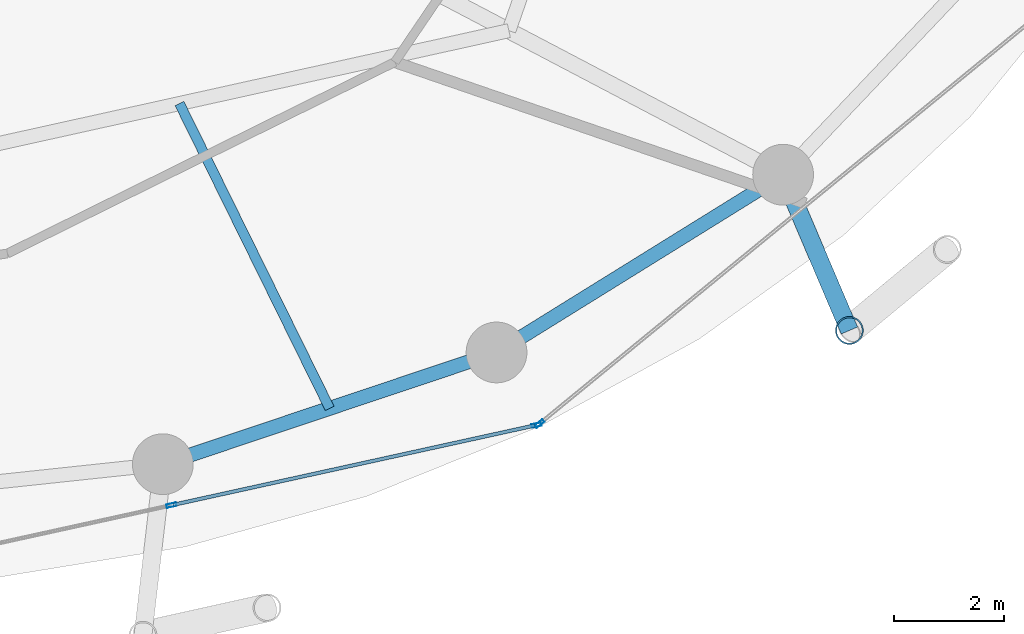
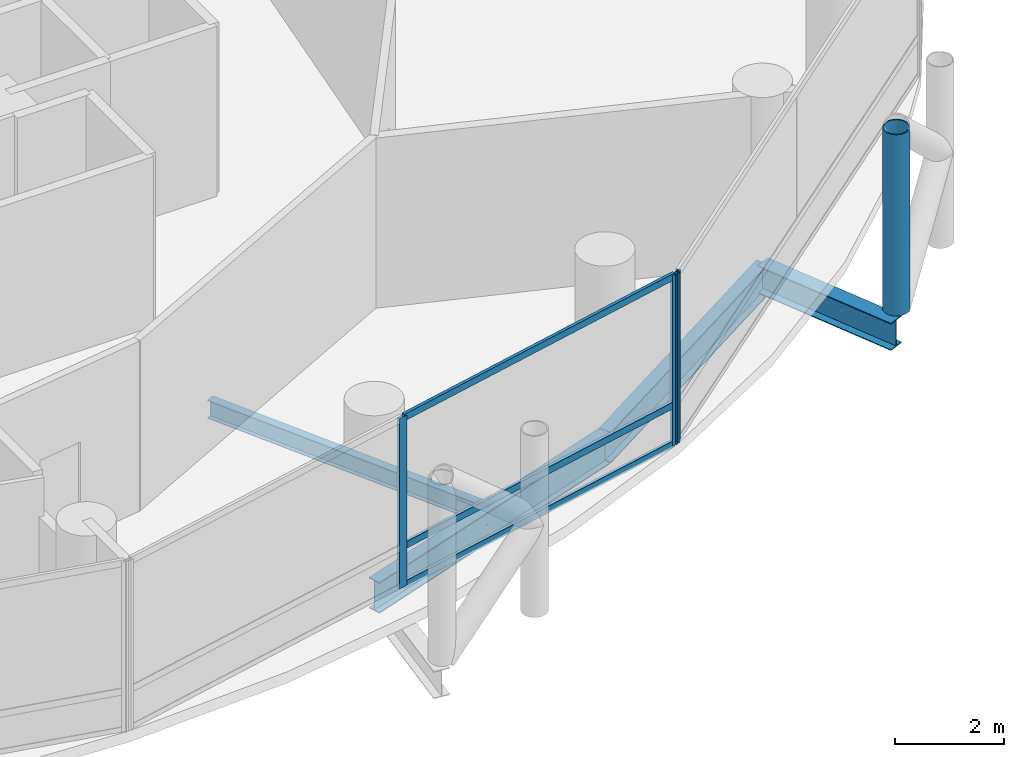
# One storey, part 8 of 24: 7 members, 4 beams, 2 elements without a shape of their own.
"""IFC4 building model written with IfcOpenShell, lengths in metres."""

from ifc_helpers import new_model, si_unit, direction, frame, origin, origin_2d, place, context, subcontext, project, spatial, hollow_rectangle, hollow_circle, i_section, extrude, material, layer, layer_set, material_profile, profile_set, type_object, element, aggregate, save


model = new_model("IFC4")

# Units and contexts
model_context = context("Model", 3, precision=1e-05, world=origin(), true_north=direction((0.0, 1.0)))
body_context = subcontext(model_context, "Body", "Model", "MODEL_VIEW")
ifc_project = project(units=[si_unit("LENGTHUNIT", "METRE"), si_unit("AREAUNIT", "SQUARE_METRE"), si_unit("VOLUMEUNIT", "CUBIC_METRE"), si_unit("PLANEANGLEUNIT", "RADIAN"), si_unit("MASSUNIT", "GRAM", prefix="KILO")], contexts=[model_context])

# Site, building, storey
site_placement = place(None, origin())
site = spatial("IfcSite", under=ifc_project, at=site_placement, CompositionType="ELEMENT")
building_placement = place(site_placement, origin())
building = spatial("IfcBuilding", under=site, at=building_placement, Name="Nuhasar Tower", CompositionType="ELEMENT")
storey_placement = place(building_placement, frame((0.0, 0.0, 77.699951171875)))
storey = spatial("IfcBuildingStorey", under=building, at=storey_placement, Name="L18", CompositionType="ELEMENT", Elevation=77.699951171875)

# Beams
ifc_material_1 = material(Name="Steel S355", Category="steel")
ifc_material_profile_1 = material_profile(ifc_material_1, i_section(OverallWidth=0.177978515625, OverallDepth=0.406005859375, WebThickness=0.0078125, FlangeThickness=0.0126953125, at=origin_2d()), Name="W16X40")
ifc_profile_set_1 = profile_set([ifc_material_profile_1], Name="Steel S355")
beam_type_1 = type_object("IfcBeamType", Name="BM-JST-W16X40", PredefinedType="JOIST", material=ifc_profile_set_1)
beam_1_placement = place(storey_placement, frame((45.783935546875, 13.77001953125, -0.452880859375), z_axis=(0.442126747458, -0.89695258469, 0.0), x_axis=(0.89695258469, 0.442126747458, 0.0)))
element("IfcBeam", 1, at=beam_1_placement, inside=storey, type_object=beam_type_1, Name="L18 Secondary Floor Joist 02", PredefinedType="JOIST", context=body_context, shape_type="SweptSolid", body=[
    extrude(i_section(OverallWidth=0.177978515625, OverallDepth=0.406005859375, WebThickness=0.0078125, FlangeThickness=0.0126953125, at=origin_2d()), origin(), (0.0, 0.0, 1.0), 6.152099609375),
])
ifc_material_profile_2 = material_profile(ifc_material_1, i_section(OverallWidth=0.256103515625, OverallDepth=0.693115234375, WebThickness=0.014404296875, FlangeThickness=0.023681640625, at=origin_2d()), Name="W27X114")
ifc_profile_set_2 = profile_set([ifc_material_profile_2], Name="Steel S355")
beam_type_2 = type_object("IfcBeamType", Name="BM-RING-W27X114", PredefinedType="SPANDREL", material=ifc_profile_set_2)
beam_2_placement = place(storey_placement, frame((45.48291015625, 7.239990234375, -0.596923828125), z_axis=(0.94826097201, 0.317491935271, 0.0), x_axis=(-0.317491935271, 0.94826097201, 0.0)))
element("IfcBeam", 2, at=beam_2_placement, inside=storey, type_object=beam_type_2, Name="L18 Perimeter Ring Spandrel 20", PredefinedType="SPANDREL", context=body_context, shape_type="SweptSolid", body=[
    extrude(i_section(OverallWidth=0.256103515625, OverallDepth=0.693115234375, WebThickness=0.014404296875, FlangeThickness=0.023681640625, at=origin_2d()), origin(), (0.0, 0.0, 1.0), 6.37158203125),
])
beam_3_placement = place(storey_placement, frame((51.52490234375, 9.262939453125, -0.596923828125), z_axis=(0.849795216549, 0.527112976439, 0.0), x_axis=(-0.527112976439, 0.849795216549, 0.0)))
element("IfcBeam", 3, at=beam_3_placement, inside=storey, type_object=beam_type_2, Name="L18 Perimeter Ring Spandrel 21", PredefinedType="SPANDREL", context=body_context, shape_type="SweptSolid", body=[
    extrude(i_section(OverallWidth=0.256103515625, OverallDepth=0.693115234375, WebThickness=0.014404296875, FlangeThickness=0.023681640625, at=origin_2d()), origin(), (0.0, 0.0, 1.0), 6.10498046875),
])
ifc_material_profile_3 = material_profile(ifc_material_1, i_section(OverallWidth=0.323974609375, OverallDepth=0.611083984375, WebThickness=0.0126953125, FlangeThickness=0.01904296875, at=origin_2d()), Name="W24X104")
ifc_profile_set_3 = profile_set([ifc_material_profile_3], Name="Steel S355")
beam_type_3 = type_object("IfcBeamType", Name="BM-TIE-W24X104", PredefinedType="BEAM", material=ifc_profile_set_3)
beam_4_placement = place(storey_placement, frame((56.712890625, 12.48095703125, -0.554931640625), z_axis=(0.391601084021, -0.920135093882, 0.0), x_axis=(0.920135093882, 0.391601084021, 0.0)))
element("IfcBeam", 4, at=beam_4_placement, inside=storey, type_object=beam_type_3, Name="L18 Exoskeleton Node Tie Beam 11", PredefinedType="BEAM", context=body_context, shape_type="SweptSolid", body=[
    extrude(i_section(OverallWidth=0.323974609375, OverallDepth=0.611083984375, WebThickness=0.0126953125, FlangeThickness=0.01904296875, at=origin_2d()), origin(), (0.0, 0.0, 1.0), 3.06494140625),
])

# Curtain wall, members
ifc_material_2 = material(Name="Aluminium 6063-T6", Category="aluminium")
ifc_layer = layer(ifc_material_2, 0.199951171875)
ifc_layer_set = layer_set([ifc_layer], Name="Aluminium 6063-T6")
curtain_wall_type = type_object("IfcCurtainWallType", Name="CW-Z1-OFF", PredefinedType="NOTDEFINED", material=ifc_layer_set)
curtain_wall_1_placement = place(storey_placement, origin())
curtain_wall_1 = element("IfcCurtainWall", 5, at=curtain_wall_1_placement, inside=storey, type_object=curtain_wall_type, Name="L18 Unitised Curtain Wall 10", PredefinedType="NOTDEFINED")
ifc_material_profile_4 = material_profile(ifc_material_2, hollow_rectangle(XDim=0.06494140625, YDim=0.179931640625, WallThickness=0.0048828125, at=origin_2d()), Name="CWM-2")
ifc_profile_set_4 = profile_set([ifc_material_profile_4], Name="Aluminium 6063-T6")
member_type_1 = type_object("IfcMemberType", Name="CW-MUL-S2", PredefinedType="MULLION", material=ifc_profile_set_4)
member_1_placement = place(storey_placement, frame((45.639892578125, 6.49755859375, 0.0), z_axis=(0.0, 0.0, 1.0), x_axis=(-0.214398737637, 0.976746221544, 0.0)))
member_1 = element("IfcMember", 6, at=member_1_placement, type_object=member_type_1, Name="CW-Z1 mullion 2", PredefinedType="MULLION", context=body_context, shape_type="SweptSolid", body=[
    extrude(hollow_rectangle(XDim=0.06494140625, YDim=0.179931640625, WallThickness=0.0048828125, at=origin_2d()), origin(), (0.0, 0.0, 1.0), 3.800048828125),
])
member_2_placement = place(storey_placement, frame((52.248291015625, 7.947998046875, 0.0), z_axis=(0.0, 0.0, 1.0), x_axis=(-0.214398737637, 0.976746221544, 0.0)))
member_2 = element("IfcMember", 7, at=member_2_placement, type_object=member_type_1, Name="CW-Z1 mullion 3", PredefinedType="MULLION", context=body_context, shape_type="SweptSolid", body=[
    extrude(hollow_rectangle(XDim=0.06494140625, YDim=0.179931640625, WallThickness=0.0048828125, at=origin_2d()), origin(), (0.0, 0.0, 1.0), 3.800048828125),
])

# Curtain wall, member
curtain_wall_2_placement = place(storey_placement, origin())
curtain_wall_2 = element("IfcCurtainWall", 8, at=curtain_wall_2_placement, inside=storey, type_object=curtain_wall_type, Name="L18 Unitised Curtain Wall 11", PredefinedType="NOTDEFINED")
member_3_placement = place(storey_placement, frame((52.30517578125, 7.9755859375, 0.0), z_axis=(0.0, 0.0, 1.0), x_axis=(-0.633744593376, 0.773542364946, 0.0)))
member_3 = element("IfcMember", 9, at=member_3_placement, type_object=member_type_1, Name="CW-Z1 mullion 1", PredefinedType="MULLION", context=body_context, shape_type="SweptSolid", body=[
    extrude(hollow_rectangle(XDim=0.06494140625, YDim=0.179931640625, WallThickness=0.0048828125, at=origin_2d()), origin(), (0.0, 0.0, 1.0), 3.800048828125),
])
aggregate(curtain_wall_2, [member_3])

# Member
ifc_material_profile_5 = material_profile(ifc_material_2, hollow_rectangle(XDim=0.06494140625, YDim=0.14990234375, WallThickness=0.00439453125, at=origin_2d()), Name="CWT-2")
ifc_profile_set_5 = profile_set([ifc_material_profile_5], Name="Aluminium 6063-T6")
member_type_2 = type_object("IfcMemberType", Name="CW-TRN-S2", PredefinedType="USERDEFINED", material=ifc_profile_set_5)
member_4_placement = place(storey_placement, frame((45.671630859375, 6.50439453125, 0.032470703125), z_axis=(0.976741923778, 0.214418316228, 0.0), x_axis=(-0.214418316228, 0.976741923778, 0.0)))
member_4 = element("IfcMember", 10, at=member_4_placement, type_object=member_type_2, Name="CW-Z1 transom 2.1", ObjectType="TRANSOM", PredefinedType="USERDEFINED", context=body_context, shape_type="SweptSolid", body=[
    extrude(hollow_rectangle(XDim=0.06494140625, YDim=0.14990234375, WallThickness=0.00439453125, at=origin_2d()), origin(), (0.0, 0.0, 1.0), 6.70068359375),
])

member_5_placement = place(storey_placement, frame((45.671630859375, 6.50439453125, 0.900146484375), z_axis=(0.976741923778, 0.214418316228, 0.0), x_axis=(-0.214418316228, 0.976741923778, 0.0)))
member_5 = element("IfcMember", 11, at=member_5_placement, type_object=member_type_2, Name="CW-Z1 transom 2.2", ObjectType="TRANSOM", PredefinedType="USERDEFINED", context=body_context, shape_type="SweptSolid", body=[
    extrude(hollow_rectangle(XDim=0.06494140625, YDim=0.14990234375, WallThickness=0.00439453125, at=origin_2d()), origin(), (0.0, 0.0, 1.0), 6.70068359375),
])

member_6_placement = place(storey_placement, frame((45.671630859375, 6.50439453125, 3.767578125), z_axis=(0.976741923778, 0.214418316228, 0.0), x_axis=(-0.214418316228, 0.976741923778, 0.0)))
member_6 = element("IfcMember", 12, at=member_6_placement, type_object=member_type_2, Name="CW-Z1 transom 2.3", ObjectType="TRANSOM", PredefinedType="USERDEFINED", context=body_context, shape_type="SweptSolid", body=[
    extrude(hollow_rectangle(XDim=0.06494140625, YDim=0.14990234375, WallThickness=0.00439453125, at=origin_2d()), origin(), (0.0, 0.0, 1.0), 6.70068359375),
])

aggregate(curtain_wall_1, [member_1, member_2, member_4, member_5, member_6])

ifc_material_3 = material(Name="Steel S460", Category="steel")
ifc_material_profile_6 = material_profile(ifc_material_3, hollow_circle(Radius=0.25390625, WallThickness=0.025390625, at=origin_2d()), Name="HSS508X25.4")
ifc_profile_set_6 = profile_set([ifc_material_profile_6], Name="Steel S460")
member_type_3 = type_object("IfcMemberType", Name="EXO-BRONZE-508", PredefinedType="BRACE", material=ifc_profile_set_6)
member_7_placement = place(storey_placement, frame((57.9130859375, 9.660888671875, 0.0), z_axis=(0.0, 0.0, 1.0), x_axis=(1.0, 0.0, 0.0)))
element("IfcMember", 13, at=member_7_placement, inside=storey, type_object=member_type_3, Name="L18 Exoskeleton Chord Column EC-11A", PredefinedType="BRACE", context=body_context, shape_type="SweptSolid", body=[
    extrude(hollow_circle(Radius=0.25390625, WallThickness=0.025390625, at=origin_2d()), origin(), (0.0, 0.0, 1.0), 4.050048828125),
])

save(model, "model.ifc")
